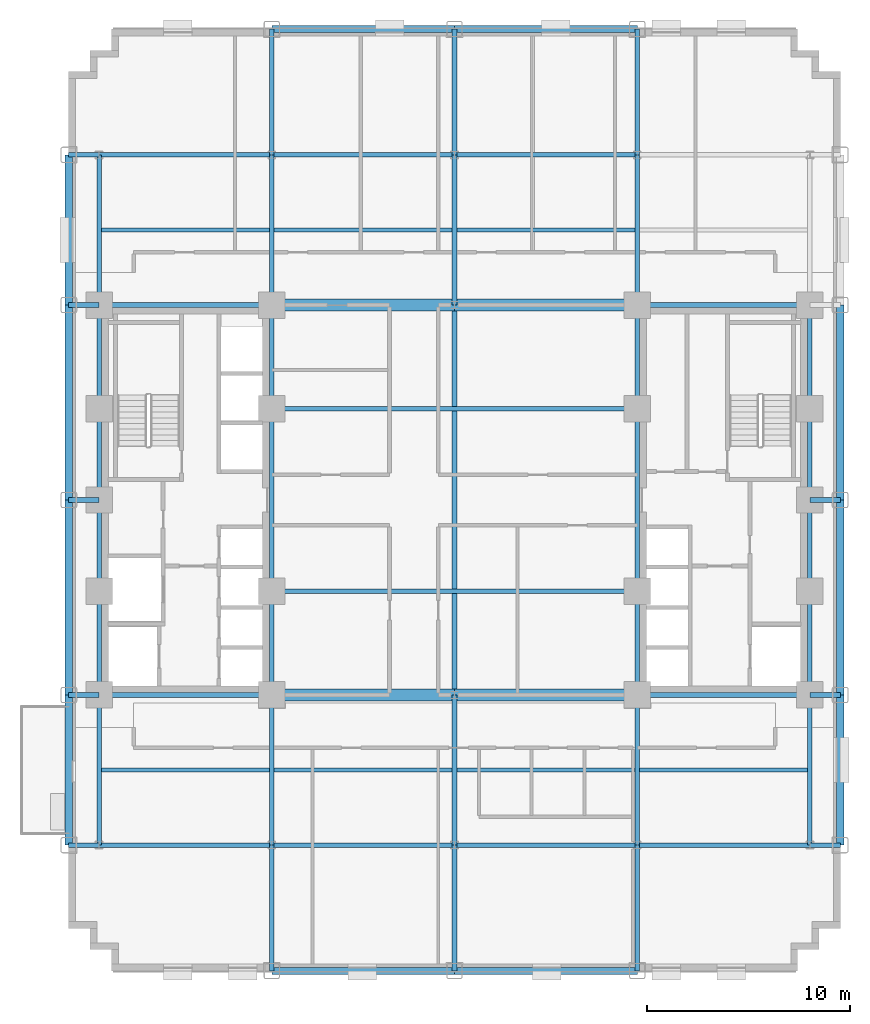
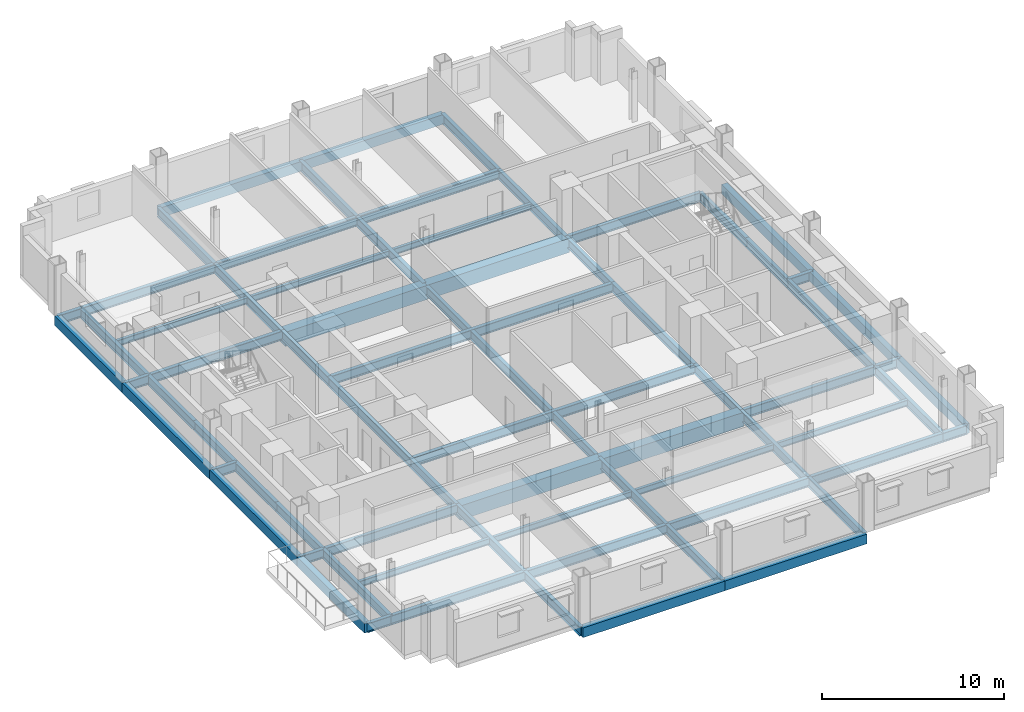
# One storey, part 3 of 12: 73 beams.
"""IFC4 building model written with IfcOpenShell, lengths in metres."""

from ifc_helpers import new_model, si_unit, direction, frame, origin, origin_2d, place, context, subcontext, project, spatial, rectangle, i_section, extrude, material, material_profile, profile_set, type_object, element, save


model = new_model("IFC4")

# Units and contexts
model_context = context("Model", 3, precision=1e-05, world=origin(), true_north=direction((0.0, 1.0)))
body_context = subcontext(model_context, "Body", "Model", "MODEL_VIEW")
ifc_project = project(units=[si_unit("LENGTHUNIT", "METRE"), si_unit("AREAUNIT", "SQUARE_METRE"), si_unit("VOLUMEUNIT", "CUBIC_METRE"), si_unit("PLANEANGLEUNIT", "RADIAN"), si_unit("MASSUNIT", "GRAM", prefix="KILO")], contexts=[model_context])

# Site, building, storey
site_placement = place(None, origin())
site = spatial("IfcSite", under=ifc_project, at=site_placement, CompositionType="ELEMENT")
building_placement = place(site_placement, origin())
building = spatial("IfcBuilding", under=site, at=building_placement, Name="Nuvemarco Arch Tower", CompositionType="ELEMENT")
storey_placement = place(building_placement, frame((0.0, 0.0, 31.25)))
storey = spatial("IfcBuildingStorey", under=building, at=storey_placement, Name="L07", CompositionType="ELEMENT", Elevation=31.25)

# Beams
ifc_material_1 = material(Name="Concrete C60/75", Category="concrete")
ifc_material_profile_1 = material_profile(ifc_material_1, rectangle(XDim=0.60009765625, YDim=0.949951171875, at=origin_2d()), Name="RC-BM-600x950")
ifc_profile_set_1 = profile_set([ifc_material_profile_1], Name="Concrete C60/75")
beam_type_1 = type_object("IfcBeamType", Name="BM-COUP-RC", PredefinedType="LINTEL", material=ifc_profile_set_1)
for number, where, z_axis, x_axis, name in (
    (1, (-9.0, -9.60009765625, -0.7548828125), (1.0, 0.0, 0.0), (0.0, 1.0, 0.0), "L07 structural beam BGEW_L07_0_-9.6_-9.0"),
    (2, (0.0, -9.60009765625, -0.7548828125), (1.0, 0.0, 0.0), (0.0, 1.0, 0.0), "L07 structural beam BGEW_L07_0_-9.6_+0.0"),
    (3, (-9.0, 9.60009765625, -0.7548828125), (1.0, 0.0, 0.0), (0.0, 1.0, 0.0), "L07 structural beam BGEW_L07_0_+9.6_-9.0"),
    (4, (0.0, 9.60009765625, -0.7548828125), (1.0, 0.0, 0.0), (0.0, 1.0, 0.0), "L07 structural beam BGEW_L07_0_+9.6_+0.0"),
):
    element("IfcBeam", number, at=place(storey_placement, frame(where, z_axis=z_axis, x_axis=x_axis)), inside=storey, type_object=beam_type_1, Name=name, PredefinedType="LINTEL", context=body_context, shape_type="SweptSolid", body=[
        extrude(rectangle(XDim=0.60009765625, YDim=0.949951171875, at=origin_2d()), origin(), (0.0, 0.0, 1.0), 9.0),
    ])
ifc_material_2 = material(Name="Steel S355", Category="steel")
ifc_material_profile_2 = material_profile(ifc_material_2, i_section(OverallWidth=0.22998046875, OverallDepth=0.616943359375, WebThickness=0.01318359375, FlangeThickness=0.022216796875, FilletRadius=0.01611328125, at=origin_2d()), Name="W610x140")
ifc_profile_set_2 = profile_set([ifc_material_profile_2], Name="Steel S355")
beam_type_2 = type_object("IfcBeamType", Name="BM-GIRD-610", PredefinedType="BEAM", material=ifc_profile_set_2)
beam_1_placement = place(storey_placement, frame((-17.5, -17.0, -0.58837890625), z_axis=(0.0, 1.0, 0.0), x_axis=(-1.0, 0.0, 0.0)))
element("IfcBeam", 5, at=beam_1_placement, inside=storey, type_object=beam_type_2, Name="L07 structural beam BGNS_L07_0_-17.5_-17.0", PredefinedType="BEAM", context=body_context, shape_type="SweptSolid", body=[
    extrude(i_section(OverallWidth=0.22998046875, OverallDepth=0.616943359375, WebThickness=0.01318359375, FlangeThickness=0.022216796875, FilletRadius=0.01611328125, at=origin_2d()), origin(), (0.0, 0.0, 1.0), 7.39990234375),
])
beam_2_placement = place(storey_placement, frame((-17.5, -9.60009765625, -0.58837890625), z_axis=(0.0, 1.0, 0.0), x_axis=(-1.0, 0.0, 0.0)))
element("IfcBeam", 6, at=beam_2_placement, inside=storey, type_object=beam_type_2, Name="L07 structural beam BGNS_L07_0_-17.5_-9.6", PredefinedType="BEAM", context=body_context, shape_type="SweptSolid", body=[
    extrude(i_section(OverallWidth=0.22998046875, OverallDepth=0.616943359375, WebThickness=0.01318359375, FlangeThickness=0.022216796875, FilletRadius=0.01611328125, at=origin_2d()), origin(), (0.0, 0.0, 1.0), 5.10009765625),
])
for number, where, z_axis, x_axis, name in (
    (7, (-17.5, -4.5, -0.58837890625), (0.0, 1.0, 0.0), (-1.0, 0.0, 0.0), "L07 structural beam BGNS_L07_0_-17.5_-4.5"),
    (8, (-17.5, 0.0, -0.58837890625), (0.0, 1.0, 0.0), (-1.0, 0.0, 0.0), "L07 structural beam BGNS_L07_0_-17.5_+0.0"),
):
    element("IfcBeam", number, at=place(storey_placement, frame(where, z_axis=z_axis, x_axis=x_axis)), inside=storey, type_object=beam_type_2, Name=name, PredefinedType="BEAM", context=body_context, shape_type="SweptSolid", body=[
        extrude(i_section(OverallWidth=0.22998046875, OverallDepth=0.616943359375, WebThickness=0.01318359375, FlangeThickness=0.022216796875, FilletRadius=0.01611328125, at=origin_2d()), origin(), (0.0, 0.0, 1.0), 4.5),
    ])
beam_3_placement = place(storey_placement, frame((-17.5, 4.5, -0.58837890625), z_axis=(0.0, 1.0, 0.0), x_axis=(-1.0, 0.0, 0.0)))
element("IfcBeam", 9, at=beam_3_placement, inside=storey, type_object=beam_type_2, Name="L07 structural beam BGNS_L07_0_-17.5_+4.5", PredefinedType="BEAM", context=body_context, shape_type="SweptSolid", body=[
    extrude(i_section(OverallWidth=0.22998046875, OverallDepth=0.616943359375, WebThickness=0.01318359375, FlangeThickness=0.022216796875, FilletRadius=0.01611328125, at=origin_2d()), origin(), (0.0, 0.0, 1.0), 5.10009765625),
])
beam_4_placement = place(storey_placement, frame((-17.5, 9.60009765625, -0.58837890625), z_axis=(0.0, 1.0, 0.0), x_axis=(-1.0, 0.0, 0.0)))
element("IfcBeam", 10, at=beam_4_placement, inside=storey, type_object=beam_type_2, Name="L07 structural beam BGNS_L07_0_-17.5_+9.6", PredefinedType="BEAM", context=body_context, shape_type="SweptSolid", body=[
    extrude(i_section(OverallWidth=0.22998046875, OverallDepth=0.616943359375, WebThickness=0.01318359375, FlangeThickness=0.022216796875, FilletRadius=0.01611328125, at=origin_2d()), origin(), (0.0, 0.0, 1.0), 7.39990234375),
])
beam_5_placement = place(storey_placement, frame((-9.0, -23.199951171875, -0.58837890625), z_axis=(0.0, 1.0, 0.0), x_axis=(-1.0, 0.0, 0.0)))
element("IfcBeam", 11, at=beam_5_placement, inside=storey, type_object=beam_type_2, Name="L07 structural beam BGNS_L07_0_-9.0_-23.2", PredefinedType="BEAM", context=body_context, shape_type="SweptSolid", body=[
    extrude(i_section(OverallWidth=0.22998046875, OverallDepth=0.616943359375, WebThickness=0.01318359375, FlangeThickness=0.022216796875, FilletRadius=0.01611328125, at=origin_2d()), origin(), (0.0, 0.0, 1.0), 6.199951171875),
])
beam_6_placement = place(storey_placement, frame((-9.0, -17.0, -0.58837890625), z_axis=(0.0, 1.0, 0.0), x_axis=(-1.0, 0.0, 0.0)))
element("IfcBeam", 12, at=beam_6_placement, inside=storey, type_object=beam_type_2, Name="L07 structural beam BGNS_L07_0_-9.0_-17.0", PredefinedType="BEAM", context=body_context, shape_type="SweptSolid", body=[
    extrude(i_section(OverallWidth=0.22998046875, OverallDepth=0.616943359375, WebThickness=0.01318359375, FlangeThickness=0.022216796875, FilletRadius=0.01611328125, at=origin_2d()), origin(), (0.0, 0.0, 1.0), 7.39990234375),
])
beam_7_placement = place(storey_placement, frame((-9.0, -9.60009765625, -0.58837890625), z_axis=(0.0, 1.0, 0.0), x_axis=(-1.0, 0.0, 0.0)))
element("IfcBeam", 13, at=beam_7_placement, inside=storey, type_object=beam_type_2, Name="L07 structural beam BGNS_L07_0_-9.0_-9.6", PredefinedType="BEAM", context=body_context, shape_type="SweptSolid", body=[
    extrude(i_section(OverallWidth=0.22998046875, OverallDepth=0.616943359375, WebThickness=0.01318359375, FlangeThickness=0.022216796875, FilletRadius=0.01611328125, at=origin_2d()), origin(), (0.0, 0.0, 1.0), 5.10009765625),
])
beam_8_placement = place(storey_placement, frame((-9.0, -4.5, -0.58837890625), z_axis=(0.0, 1.0, 0.0), x_axis=(-1.0, 0.0, 0.0)))
element("IfcBeam", 14, at=beam_8_placement, inside=storey, type_object=beam_type_2, Name="L07 structural beam BGNS_L07_0_-9.0_-4.5", PredefinedType="BEAM", context=body_context, shape_type="SweptSolid", body=[
    extrude(i_section(OverallWidth=0.22998046875, OverallDepth=0.616943359375, WebThickness=0.01318359375, FlangeThickness=0.022216796875, FilletRadius=0.01611328125, at=origin_2d()), origin(), (0.0, 0.0, 1.0), 9.0),
])
beam_9_placement = place(storey_placement, frame((-9.0, 4.5, -0.58837890625), z_axis=(0.0, 1.0, 0.0), x_axis=(-1.0, 0.0, 0.0)))
element("IfcBeam", 15, at=beam_9_placement, inside=storey, type_object=beam_type_2, Name="L07 structural beam BGNS_L07_0_-9.0_+4.5", PredefinedType="BEAM", context=body_context, shape_type="SweptSolid", body=[
    extrude(i_section(OverallWidth=0.22998046875, OverallDepth=0.616943359375, WebThickness=0.01318359375, FlangeThickness=0.022216796875, FilletRadius=0.01611328125, at=origin_2d()), origin(), (0.0, 0.0, 1.0), 5.10009765625),
])
beam_10_placement = place(storey_placement, frame((-9.0, 9.60009765625, -0.58837890625), z_axis=(0.0, 1.0, 0.0), x_axis=(-1.0, 0.0, 0.0)))
element("IfcBeam", 16, at=beam_10_placement, inside=storey, type_object=beam_type_2, Name="L07 structural beam BGNS_L07_0_-9.0_+9.6", PredefinedType="BEAM", context=body_context, shape_type="SweptSolid", body=[
    extrude(i_section(OverallWidth=0.22998046875, OverallDepth=0.616943359375, WebThickness=0.01318359375, FlangeThickness=0.022216796875, FilletRadius=0.01611328125, at=origin_2d()), origin(), (0.0, 0.0, 1.0), 7.39990234375),
])
for number, where, z_axis, x_axis, name in (
    (17, (-9.0, 17.0, -0.58837890625), (0.0, 1.0, 0.0), (-1.0, 0.0, 0.0), "L07 structural beam BGNS_L07_0_-9.0_+17.0"),
    (18, (0.0, -23.199951171875, -0.58837890625), (0.0, 1.0, 0.0), (-1.0, 0.0, 0.0), "L07 structural beam BGNS_L07_0_+0.0_-23.2"),
):
    element("IfcBeam", number, at=place(storey_placement, frame(where, z_axis=z_axis, x_axis=x_axis)), inside=storey, type_object=beam_type_2, Name=name, PredefinedType="BEAM", context=body_context, shape_type="SweptSolid", body=[
        extrude(i_section(OverallWidth=0.22998046875, OverallDepth=0.616943359375, WebThickness=0.01318359375, FlangeThickness=0.022216796875, FilletRadius=0.01611328125, at=origin_2d()), origin(), (0.0, 0.0, 1.0), 6.199951171875),
    ])
beam_11_placement = place(storey_placement, frame((0.0, -17.0, -0.58837890625), z_axis=(0.0, 1.0, 0.0), x_axis=(-1.0, 0.0, 0.0)))
element("IfcBeam", 19, at=beam_11_placement, inside=storey, type_object=beam_type_2, Name="L07 structural beam BGNS_L07_0_+0.0_-17.0", PredefinedType="BEAM", context=body_context, shape_type="SweptSolid", body=[
    extrude(i_section(OverallWidth=0.22998046875, OverallDepth=0.616943359375, WebThickness=0.01318359375, FlangeThickness=0.022216796875, FilletRadius=0.01611328125, at=origin_2d()), origin(), (0.0, 0.0, 1.0), 7.39990234375),
])
beam_12_placement = place(storey_placement, frame((0.0, -9.60009765625, -0.58837890625), z_axis=(0.0, 1.0, 0.0), x_axis=(-1.0, 0.0, 0.0)))
element("IfcBeam", 20, at=beam_12_placement, inside=storey, type_object=beam_type_2, Name="L07 structural beam BGNS_L07_0_+0.0_-9.6", PredefinedType="BEAM", context=body_context, shape_type="SweptSolid", body=[
    extrude(i_section(OverallWidth=0.22998046875, OverallDepth=0.616943359375, WebThickness=0.01318359375, FlangeThickness=0.022216796875, FilletRadius=0.01611328125, at=origin_2d()), origin(), (0.0, 0.0, 1.0), 19.2001953125),
])
beam_13_placement = place(storey_placement, frame((0.0, 9.60009765625, -0.58837890625), z_axis=(0.0, 1.0, 0.0), x_axis=(-1.0, 0.0, 0.0)))
element("IfcBeam", 21, at=beam_13_placement, inside=storey, type_object=beam_type_2, Name="L07 structural beam BGNS_L07_0_+0.0_+9.6", PredefinedType="BEAM", context=body_context, shape_type="SweptSolid", body=[
    extrude(i_section(OverallWidth=0.22998046875, OverallDepth=0.616943359375, WebThickness=0.01318359375, FlangeThickness=0.022216796875, FilletRadius=0.01611328125, at=origin_2d()), origin(), (0.0, 0.0, 1.0), 7.39990234375),
])
for number, where, z_axis, x_axis, name in (
    (22, (0.0, 17.0, -0.58837890625), (0.0, 1.0, 0.0), (-1.0, 0.0, 0.0), "L07 structural beam BGNS_L07_0_+0.0_+17.0"),
    (23, (9.0, -23.199951171875, -0.58837890625), (0.0, 1.0, 0.0), (-1.0, 0.0, 0.0), "L07 structural beam BGNS_L07_0_+9.0_-23.2"),
):
    element("IfcBeam", number, at=place(storey_placement, frame(where, z_axis=z_axis, x_axis=x_axis)), inside=storey, type_object=beam_type_2, Name=name, PredefinedType="BEAM", context=body_context, shape_type="SweptSolid", body=[
        extrude(i_section(OverallWidth=0.22998046875, OverallDepth=0.616943359375, WebThickness=0.01318359375, FlangeThickness=0.022216796875, FilletRadius=0.01611328125, at=origin_2d()), origin(), (0.0, 0.0, 1.0), 6.199951171875),
    ])
beam_14_placement = place(storey_placement, frame((9.0, -17.0, -0.58837890625), z_axis=(0.0, 1.0, 0.0), x_axis=(-1.0, 0.0, 0.0)))
element("IfcBeam", 24, at=beam_14_placement, inside=storey, type_object=beam_type_2, Name="L07 structural beam BGNS_L07_0_+9.0_-17.0", PredefinedType="BEAM", context=body_context, shape_type="SweptSolid", body=[
    extrude(i_section(OverallWidth=0.22998046875, OverallDepth=0.616943359375, WebThickness=0.01318359375, FlangeThickness=0.022216796875, FilletRadius=0.01611328125, at=origin_2d()), origin(), (0.0, 0.0, 1.0), 7.39990234375),
])
beam_15_placement = place(storey_placement, frame((9.0, -9.60009765625, -0.58837890625), z_axis=(0.0, 1.0, 0.0), x_axis=(-1.0, 0.0, 0.0)))
element("IfcBeam", 25, at=beam_15_placement, inside=storey, type_object=beam_type_2, Name="L07 structural beam BGNS_L07_0_+9.0_-9.6", PredefinedType="BEAM", context=body_context, shape_type="SweptSolid", body=[
    extrude(i_section(OverallWidth=0.22998046875, OverallDepth=0.616943359375, WebThickness=0.01318359375, FlangeThickness=0.022216796875, FilletRadius=0.01611328125, at=origin_2d()), origin(), (0.0, 0.0, 1.0), 5.10009765625),
])
beam_16_placement = place(storey_placement, frame((9.0, -4.5, -0.58837890625), z_axis=(0.0, 1.0, 0.0), x_axis=(-1.0, 0.0, 0.0)))
element("IfcBeam", 26, at=beam_16_placement, inside=storey, type_object=beam_type_2, Name="L07 structural beam BGNS_L07_0_+9.0_-4.5", PredefinedType="BEAM", context=body_context, shape_type="SweptSolid", body=[
    extrude(i_section(OverallWidth=0.22998046875, OverallDepth=0.616943359375, WebThickness=0.01318359375, FlangeThickness=0.022216796875, FilletRadius=0.01611328125, at=origin_2d()), origin(), (0.0, 0.0, 1.0), 9.0),
])
beam_17_placement = place(storey_placement, frame((9.0, 4.5, -0.58837890625), z_axis=(0.0, 1.0, 0.0), x_axis=(-1.0, 0.0, 0.0)))
element("IfcBeam", 27, at=beam_17_placement, inside=storey, type_object=beam_type_2, Name="L07 structural beam BGNS_L07_0_+9.0_+4.5", PredefinedType="BEAM", context=body_context, shape_type="SweptSolid", body=[
    extrude(i_section(OverallWidth=0.22998046875, OverallDepth=0.616943359375, WebThickness=0.01318359375, FlangeThickness=0.022216796875, FilletRadius=0.01611328125, at=origin_2d()), origin(), (0.0, 0.0, 1.0), 5.10009765625),
])
beam_18_placement = place(storey_placement, frame((9.0, 9.60009765625, -0.58837890625), z_axis=(0.0, 1.0, 0.0), x_axis=(-1.0, 0.0, 0.0)))
element("IfcBeam", 28, at=beam_18_placement, inside=storey, type_object=beam_type_2, Name="L07 structural beam BGNS_L07_0_+9.0_+9.6", PredefinedType="BEAM", context=body_context, shape_type="SweptSolid", body=[
    extrude(i_section(OverallWidth=0.22998046875, OverallDepth=0.616943359375, WebThickness=0.01318359375, FlangeThickness=0.022216796875, FilletRadius=0.01611328125, at=origin_2d()), origin(), (0.0, 0.0, 1.0), 7.39990234375),
])
beam_19_placement = place(storey_placement, frame((9.0, 17.0, -0.58837890625), z_axis=(0.0, 1.0, 0.0), x_axis=(-1.0, 0.0, 0.0)))
element("IfcBeam", 29, at=beam_19_placement, inside=storey, type_object=beam_type_2, Name="L07 structural beam BGNS_L07_0_+9.0_+17.0", PredefinedType="BEAM", context=body_context, shape_type="SweptSolid", body=[
    extrude(i_section(OverallWidth=0.22998046875, OverallDepth=0.616943359375, WebThickness=0.01318359375, FlangeThickness=0.022216796875, FilletRadius=0.01611328125, at=origin_2d()), origin(), (0.0, 0.0, 1.0), 6.199951171875),
])
beam_20_placement = place(storey_placement, frame((17.5, -17.0, -0.58837890625), z_axis=(0.0, 1.0, 0.0), x_axis=(-1.0, 0.0, 0.0)))
element("IfcBeam", 30, at=beam_20_placement, inside=storey, type_object=beam_type_2, Name="L07 structural beam BGNS_L07_0_+17.5_-17.0", PredefinedType="BEAM", context=body_context, shape_type="SweptSolid", body=[
    extrude(i_section(OverallWidth=0.22998046875, OverallDepth=0.616943359375, WebThickness=0.01318359375, FlangeThickness=0.022216796875, FilletRadius=0.01611328125, at=origin_2d()), origin(), (0.0, 0.0, 1.0), 7.39990234375),
])
beam_21_placement = place(storey_placement, frame((17.5, -9.60009765625, -0.58837890625), z_axis=(0.0, 1.0, 0.0), x_axis=(-1.0, 0.0, 0.0)))
element("IfcBeam", 31, at=beam_21_placement, inside=storey, type_object=beam_type_2, Name="L07 structural beam BGNS_L07_0_+17.5_-9.6", PredefinedType="BEAM", context=body_context, shape_type="SweptSolid", body=[
    extrude(i_section(OverallWidth=0.22998046875, OverallDepth=0.616943359375, WebThickness=0.01318359375, FlangeThickness=0.022216796875, FilletRadius=0.01611328125, at=origin_2d()), origin(), (0.0, 0.0, 1.0), 5.10009765625),
])
for number, where, z_axis, x_axis, name in (
    (32, (17.5, -4.5, -0.58837890625), (0.0, 1.0, 0.0), (-1.0, 0.0, 0.0), "L07 structural beam BGNS_L07_0_+17.5_-4.5"),
    (33, (17.5, 0.0, -0.58837890625), (0.0, 1.0, 0.0), (-1.0, 0.0, 0.0), "L07 structural beam BGNS_L07_0_+17.5_+0.0"),
):
    element("IfcBeam", number, at=place(storey_placement, frame(where, z_axis=z_axis, x_axis=x_axis)), inside=storey, type_object=beam_type_2, Name=name, PredefinedType="BEAM", context=body_context, shape_type="SweptSolid", body=[
        extrude(i_section(OverallWidth=0.22998046875, OverallDepth=0.616943359375, WebThickness=0.01318359375, FlangeThickness=0.022216796875, FilletRadius=0.01611328125, at=origin_2d()), origin(), (0.0, 0.0, 1.0), 4.5),
    ])
beam_22_placement = place(storey_placement, frame((17.5, 4.5, -0.58837890625), z_axis=(0.0, 1.0, 0.0), x_axis=(-1.0, 0.0, 0.0)))
element("IfcBeam", 34, at=beam_22_placement, inside=storey, type_object=beam_type_2, Name="L07 structural beam BGNS_L07_0_+17.5_+4.5", PredefinedType="BEAM", context=body_context, shape_type="SweptSolid", body=[
    extrude(i_section(OverallWidth=0.22998046875, OverallDepth=0.616943359375, WebThickness=0.01318359375, FlangeThickness=0.022216796875, FilletRadius=0.01611328125, at=origin_2d()), origin(), (0.0, 0.0, 1.0), 5.10009765625),
])
beam_23_placement = place(storey_placement, frame((-19.0, -17.0, -0.58837890625), z_axis=(1.0, 0.0, 0.0), x_axis=(0.0, 1.0, 0.0)))
element("IfcBeam", 35, at=beam_23_placement, inside=storey, type_object=beam_type_2, Name="L07 structural beam BGEW_L07_0_-17.0_-19.0", PredefinedType="BEAM", context=body_context, shape_type="SweptSolid", body=[
    extrude(i_section(OverallWidth=0.22998046875, OverallDepth=0.616943359375, WebThickness=0.01318359375, FlangeThickness=0.022216796875, FilletRadius=0.01611328125, at=origin_2d()), origin(), (0.0, 0.0, 1.0), 1.5),
])
beam_24_placement = place(storey_placement, frame((-17.5, -17.0, -0.58837890625), z_axis=(1.0, 0.0, 0.0), x_axis=(0.0, 1.0, 0.0)))
element("IfcBeam", 36, at=beam_24_placement, inside=storey, type_object=beam_type_2, Name="L07 structural beam BGEW_L07_0_-17.0_-17.5", PredefinedType="BEAM", context=body_context, shape_type="SweptSolid", body=[
    extrude(i_section(OverallWidth=0.22998046875, OverallDepth=0.616943359375, WebThickness=0.01318359375, FlangeThickness=0.022216796875, FilletRadius=0.01611328125, at=origin_2d()), origin(), (0.0, 0.0, 1.0), 8.5),
])
for number, where, z_axis, x_axis, name in (
    (37, (-9.0, -17.0, -0.58837890625), (1.0, 0.0, 0.0), (0.0, 1.0, 0.0), "L07 structural beam BGEW_L07_0_-17.0_-9.0"),
    (38, (0.0, -17.0, -0.58837890625), (1.0, 0.0, 0.0), (0.0, 1.0, 0.0), "L07 structural beam BGEW_L07_0_-17.0_+0.0"),
):
    element("IfcBeam", number, at=place(storey_placement, frame(where, z_axis=z_axis, x_axis=x_axis)), inside=storey, type_object=beam_type_2, Name=name, PredefinedType="BEAM", context=body_context, shape_type="SweptSolid", body=[
        extrude(i_section(OverallWidth=0.22998046875, OverallDepth=0.616943359375, WebThickness=0.01318359375, FlangeThickness=0.022216796875, FilletRadius=0.01611328125, at=origin_2d()), origin(), (0.0, 0.0, 1.0), 9.0),
    ])
beam_25_placement = place(storey_placement, frame((9.0, -17.0, -0.58837890625), z_axis=(1.0, 0.0, 0.0), x_axis=(0.0, 1.0, 0.0)))
element("IfcBeam", 39, at=beam_25_placement, inside=storey, type_object=beam_type_2, Name="L07 structural beam BGEW_L07_0_-17.0_+9.0", PredefinedType="BEAM", context=body_context, shape_type="SweptSolid", body=[
    extrude(i_section(OverallWidth=0.22998046875, OverallDepth=0.616943359375, WebThickness=0.01318359375, FlangeThickness=0.022216796875, FilletRadius=0.01611328125, at=origin_2d()), origin(), (0.0, 0.0, 1.0), 8.5),
])
for number, where, z_axis, x_axis, name in (
    (40, (17.5, -17.0, -0.58837890625), (1.0, 0.0, 0.0), (0.0, 1.0, 0.0), "L07 structural beam BGEW_L07_0_-17.0_+17.5"),
    (41, (-19.0, -9.60009765625, -0.58837890625), (1.0, 0.0, 0.0), (0.0, 1.0, 0.0), "L07 structural beam BGEW_L07_0_-9.6_-19.0"),
):
    element("IfcBeam", number, at=place(storey_placement, frame(where, z_axis=z_axis, x_axis=x_axis)), inside=storey, type_object=beam_type_2, Name=name, PredefinedType="BEAM", context=body_context, shape_type="SweptSolid", body=[
        extrude(i_section(OverallWidth=0.22998046875, OverallDepth=0.616943359375, WebThickness=0.01318359375, FlangeThickness=0.022216796875, FilletRadius=0.01611328125, at=origin_2d()), origin(), (0.0, 0.0, 1.0), 1.5),
    ])
for number, where, z_axis, x_axis, name in (
    (42, (-17.5, -9.60009765625, -0.58837890625), (1.0, 0.0, 0.0), (0.0, 1.0, 0.0), "L07 structural beam BGEW_L07_0_-9.6_-17.5"),
    (43, (9.0, -9.60009765625, -0.58837890625), (1.0, 0.0, 0.0), (0.0, 1.0, 0.0), "L07 structural beam BGEW_L07_0_-9.6_+9.0"),
):
    element("IfcBeam", number, at=place(storey_placement, frame(where, z_axis=z_axis, x_axis=x_axis)), inside=storey, type_object=beam_type_2, Name=name, PredefinedType="BEAM", context=body_context, shape_type="SweptSolid", body=[
        extrude(i_section(OverallWidth=0.22998046875, OverallDepth=0.616943359375, WebThickness=0.01318359375, FlangeThickness=0.022216796875, FilletRadius=0.01611328125, at=origin_2d()), origin(), (0.0, 0.0, 1.0), 8.5),
    ])
beam_26_placement = place(storey_placement, frame((17.5, -9.60009765625, -0.58837890625), z_axis=(1.0, 0.0, 0.0), x_axis=(0.0, 1.0, 0.0)))
element("IfcBeam", 44, at=beam_26_placement, inside=storey, type_object=beam_type_2, Name="L07 structural beam BGEW_L07_0_-9.6_+17.5", PredefinedType="BEAM", context=body_context, shape_type="SweptSolid", body=[
    extrude(i_section(OverallWidth=0.22998046875, OverallDepth=0.616943359375, WebThickness=0.01318359375, FlangeThickness=0.022216796875, FilletRadius=0.01611328125, at=origin_2d()), origin(), (0.0, 0.0, 1.0), 1.5),
])
beam_27_placement = place(storey_placement, frame((-9.0, -4.5, -0.58837890625), z_axis=(1.0, 0.0, 0.0), x_axis=(0.0, 1.0, 0.0)))
element("IfcBeam", 45, at=beam_27_placement, inside=storey, type_object=beam_type_2, Name="L07 structural beam BGEW_L07_0_-4.5_-9.0", PredefinedType="BEAM", context=body_context, shape_type="SweptSolid", body=[
    extrude(i_section(OverallWidth=0.22998046875, OverallDepth=0.616943359375, WebThickness=0.01318359375, FlangeThickness=0.022216796875, FilletRadius=0.01611328125, at=origin_2d()), origin(), (0.0, 0.0, 1.0), 18.0),
])
for number, where, z_axis, x_axis, name in (
    (46, (-19.0, 0.0, -0.58837890625), (1.0, 0.0, 0.0), (0.0, 1.0, 0.0), "L07 structural beam BGEW_L07_0_+0.0_-19.0"),
    (47, (17.5, 0.0, -0.58837890625), (1.0, 0.0, 0.0), (0.0, 1.0, 0.0), "L07 structural beam BGEW_L07_0_+0.0_+17.5"),
):
    element("IfcBeam", number, at=place(storey_placement, frame(where, z_axis=z_axis, x_axis=x_axis)), inside=storey, type_object=beam_type_2, Name=name, PredefinedType="BEAM", context=body_context, shape_type="SweptSolid", body=[
        extrude(i_section(OverallWidth=0.22998046875, OverallDepth=0.616943359375, WebThickness=0.01318359375, FlangeThickness=0.022216796875, FilletRadius=0.01611328125, at=origin_2d()), origin(), (0.0, 0.0, 1.0), 1.5),
    ])
beam_28_placement = place(storey_placement, frame((-9.0, 4.5, -0.58837890625), z_axis=(1.0, 0.0, 0.0), x_axis=(0.0, 1.0, 0.0)))
element("IfcBeam", 48, at=beam_28_placement, inside=storey, type_object=beam_type_2, Name="L07 structural beam BGEW_L07_0_+4.5_-9.0", PredefinedType="BEAM", context=body_context, shape_type="SweptSolid", body=[
    extrude(i_section(OverallWidth=0.22998046875, OverallDepth=0.616943359375, WebThickness=0.01318359375, FlangeThickness=0.022216796875, FilletRadius=0.01611328125, at=origin_2d()), origin(), (0.0, 0.0, 1.0), 18.0),
])
beam_29_placement = place(storey_placement, frame((-19.0, 9.60009765625, -0.58837890625), z_axis=(1.0, 0.0, 0.0), x_axis=(0.0, 1.0, 0.0)))
element("IfcBeam", 49, at=beam_29_placement, inside=storey, type_object=beam_type_2, Name="L07 structural beam BGEW_L07_0_+9.6_-19.0", PredefinedType="BEAM", context=body_context, shape_type="SweptSolid", body=[
    extrude(i_section(OverallWidth=0.22998046875, OverallDepth=0.616943359375, WebThickness=0.01318359375, FlangeThickness=0.022216796875, FilletRadius=0.01611328125, at=origin_2d()), origin(), (0.0, 0.0, 1.0), 1.5),
])
for number, where, z_axis, x_axis, name in (
    (50, (-17.5, 9.60009765625, -0.58837890625), (1.0, 0.0, 0.0), (0.0, 1.0, 0.0), "L07 structural beam BGEW_L07_0_+9.6_-17.5"),
    (51, (9.0, 9.60009765625, -0.58837890625), (1.0, 0.0, 0.0), (0.0, 1.0, 0.0), "L07 structural beam BGEW_L07_0_+9.6_+9.0"),
):
    element("IfcBeam", number, at=place(storey_placement, frame(where, z_axis=z_axis, x_axis=x_axis)), inside=storey, type_object=beam_type_2, Name=name, PredefinedType="BEAM", context=body_context, shape_type="SweptSolid", body=[
        extrude(i_section(OverallWidth=0.22998046875, OverallDepth=0.616943359375, WebThickness=0.01318359375, FlangeThickness=0.022216796875, FilletRadius=0.01611328125, at=origin_2d()), origin(), (0.0, 0.0, 1.0), 8.5),
    ])
beam_30_placement = place(storey_placement, frame((-19.0, 17.0, -0.58837890625), z_axis=(1.0, 0.0, 0.0), x_axis=(0.0, 1.0, 0.0)))
element("IfcBeam", 52, at=beam_30_placement, inside=storey, type_object=beam_type_2, Name="L07 structural beam BGEW_L07_0_+17.0_-19.0", PredefinedType="BEAM", context=body_context, shape_type="SweptSolid", body=[
    extrude(i_section(OverallWidth=0.22998046875, OverallDepth=0.616943359375, WebThickness=0.01318359375, FlangeThickness=0.022216796875, FilletRadius=0.01611328125, at=origin_2d()), origin(), (0.0, 0.0, 1.0), 1.5),
])
beam_31_placement = place(storey_placement, frame((-17.5, 17.0, -0.58837890625), z_axis=(1.0, 0.0, 0.0), x_axis=(0.0, 1.0, 0.0)))
element("IfcBeam", 53, at=beam_31_placement, inside=storey, type_object=beam_type_2, Name="L07 structural beam BGEW_L07_0_+17.0_-17.5", PredefinedType="BEAM", context=body_context, shape_type="SweptSolid", body=[
    extrude(i_section(OverallWidth=0.22998046875, OverallDepth=0.616943359375, WebThickness=0.01318359375, FlangeThickness=0.022216796875, FilletRadius=0.01611328125, at=origin_2d()), origin(), (0.0, 0.0, 1.0), 8.5),
])
for number, where, z_axis, x_axis, name in (
    (54, (-9.0, 17.0, -0.58837890625), (1.0, 0.0, 0.0), (0.0, 1.0, 0.0), "L07 structural beam BGEW_L07_0_+17.0_-9.0"),
    (55, (0.0, 17.0, -0.58837890625), (1.0, 0.0, 0.0), (0.0, 1.0, 0.0), "L07 structural beam BGEW_L07_0_+17.0_+0.0"),
):
    element("IfcBeam", number, at=place(storey_placement, frame(where, z_axis=z_axis, x_axis=x_axis)), inside=storey, type_object=beam_type_2, Name=name, PredefinedType="BEAM", context=body_context, shape_type="SweptSolid", body=[
        extrude(i_section(OverallWidth=0.22998046875, OverallDepth=0.616943359375, WebThickness=0.01318359375, FlangeThickness=0.022216796875, FilletRadius=0.01611328125, at=origin_2d()), origin(), (0.0, 0.0, 1.0), 9.0),
    ])
ifc_material_profile_3 = material_profile(ifc_material_2, i_section(OverallWidth=0.179931640625, OverallDepth=0.4130859375, WebThickness=0.009765625, FlangeThickness=0.01611328125, FilletRadius=0.014892578125, at=origin_2d()), Name="W410x75")
ifc_profile_set_3 = profile_set([ifc_material_profile_3], Name="Steel S355")
beam_type_3 = type_object("IfcBeamType", Name="BM-JOIST-410", PredefinedType="JOIST", material=ifc_profile_set_3)
beam_32_placement = place(storey_placement, frame((-17.385009765625, -13.300048828125, -0.486572265625), z_axis=(1.0, 0.0, 0.0), x_axis=(0.0, 1.0, 0.0)))
element("IfcBeam", 56, at=beam_32_placement, inside=storey, type_object=beam_type_3, Name="L07 structural beam BJ_L07_0_-13.3_-17.5", PredefinedType="JOIST", context=body_context, shape_type="SweptSolid", body=[
    extrude(i_section(OverallWidth=0.179931640625, OverallDepth=0.4130859375, WebThickness=0.009765625, FlangeThickness=0.01611328125, FilletRadius=0.014892578125, at=origin_2d()), origin(), (0.0, 0.0, 1.0), 8.27001953125),
])
for number, where, z_axis, x_axis, name in (
    (57, (-8.885009765625, -13.300048828125, -0.486572265625), (1.0, 0.0, 0.0), (0.0, 1.0, 0.0), "L07 structural beam BJ_L07_0_-13.3_-9.0"),
    (58, (0.114990234375, -13.300048828125, -0.486572265625), (1.0, 0.0, 0.0), (0.0, 1.0, 0.0), "L07 structural beam BJ_L07_0_-13.3_+0.0"),
):
    element("IfcBeam", number, at=place(storey_placement, frame(where, z_axis=z_axis, x_axis=x_axis)), inside=storey, type_object=beam_type_3, Name=name, PredefinedType="JOIST", context=body_context, shape_type="SweptSolid", body=[
        extrude(i_section(OverallWidth=0.179931640625, OverallDepth=0.4130859375, WebThickness=0.009765625, FlangeThickness=0.01611328125, FilletRadius=0.014892578125, at=origin_2d()), origin(), (0.0, 0.0, 1.0), 8.77001953125),
    ])
for number, where, z_axis, x_axis, name in (
    (59, (9.114990234375, -13.300048828125, -0.486572265625), (1.0, 0.0, 0.0), (0.0, 1.0, 0.0), "L07 structural beam BJ_L07_0_-13.3_+9.0"),
    (60, (-17.385009765625, 13.300048828125, -0.486572265625), (1.0, 0.0, 0.0), (0.0, 1.0, 0.0), "L07 structural beam BJ_L07_0_+13.3_-17.5"),
):
    element("IfcBeam", number, at=place(storey_placement, frame(where, z_axis=z_axis, x_axis=x_axis)), inside=storey, type_object=beam_type_3, Name=name, PredefinedType="JOIST", context=body_context, shape_type="SweptSolid", body=[
        extrude(i_section(OverallWidth=0.179931640625, OverallDepth=0.4130859375, WebThickness=0.009765625, FlangeThickness=0.01611328125, FilletRadius=0.014892578125, at=origin_2d()), origin(), (0.0, 0.0, 1.0), 8.27001953125),
    ])
for number, where, z_axis, x_axis, name in (
    (61, (-8.885009765625, 13.300048828125, -0.486572265625), (1.0, 0.0, 0.0), (0.0, 1.0, 0.0), "L07 structural beam BJ_L07_0_+13.3_-9.0"),
    (62, (0.114990234375, 13.300048828125, -0.486572265625), (1.0, 0.0, 0.0), (0.0, 1.0, 0.0), "L07 structural beam BJ_L07_0_+13.3_+0.0"),
):
    element("IfcBeam", number, at=place(storey_placement, frame(where, z_axis=z_axis, x_axis=x_axis)), inside=storey, type_object=beam_type_3, Name=name, PredefinedType="JOIST", context=body_context, shape_type="SweptSolid", body=[
        extrude(i_section(OverallWidth=0.179931640625, OverallDepth=0.4130859375, WebThickness=0.009765625, FlangeThickness=0.01611328125, FilletRadius=0.014892578125, at=origin_2d()), origin(), (0.0, 0.0, 1.0), 8.77001953125),
    ])
ifc_material_3 = material(Name="Precast concrete C45/55", Category="concrete")
ifc_material_profile_4 = material_profile(ifc_material_3, rectangle(XDim=0.35009765625, YDim=0.64990234375, at=origin_2d()), Name="PC-SP-350x650")
ifc_profile_set_4 = profile_set([ifc_material_profile_4], Name="Precast concrete C45/55")
beam_type_4 = type_object("IfcBeamType", Name="BM-SPAN-RC", PredefinedType="SPANDREL", material=ifc_profile_set_4)
beam_33_placement = place(storey_placement, frame((-19.0, -17.0, -0.60498046875), z_axis=(0.0, 1.0, 0.0), x_axis=(-1.0, 0.0, 0.0)))
element("IfcBeam", 63, at=beam_33_placement, inside=storey, type_object=beam_type_4, Name="L07 structural beam BGNS_L07_0_-19.0_-17.0", PredefinedType="SPANDREL", context=body_context, shape_type="SweptSolid", body=[
    extrude(rectangle(XDim=0.35009765625, YDim=0.64990234375, at=origin_2d()), origin(), (0.0, 0.0, 1.0), 7.39990234375),
])
for number, where, z_axis, x_axis, name in (
    (64, (-19.0, -9.60009765625, -0.60498046875), (0.0, 1.0, 0.0), (-1.0, 0.0, 0.0), "L07 structural beam BGNS_L07_0_-19.0_-9.6"),
    (65, (-19.0, 0.0, -0.60498046875), (0.0, 1.0, 0.0), (-1.0, 0.0, 0.0), "L07 structural beam BGNS_L07_0_-19.0_+0.0"),
):
    element("IfcBeam", number, at=place(storey_placement, frame(where, z_axis=z_axis, x_axis=x_axis)), inside=storey, type_object=beam_type_4, Name=name, PredefinedType="SPANDREL", context=body_context, shape_type="SweptSolid", body=[
        extrude(rectangle(XDim=0.35009765625, YDim=0.64990234375, at=origin_2d()), origin(), (0.0, 0.0, 1.0), 9.60009765625),
    ])
for number, where, z_axis, x_axis, name in (
    (66, (-19.0, 9.60009765625, -0.60498046875), (0.0, 1.0, 0.0), (-1.0, 0.0, 0.0), "L07 structural beam BGNS_L07_0_-19.0_+9.6"),
    (67, (19.0, -17.0, -0.60498046875), (0.0, 1.0, 0.0), (-1.0, 0.0, 0.0), "L07 structural beam BGNS_L07_0_+19.0_-17.0"),
):
    element("IfcBeam", number, at=place(storey_placement, frame(where, z_axis=z_axis, x_axis=x_axis)), inside=storey, type_object=beam_type_4, Name=name, PredefinedType="SPANDREL", context=body_context, shape_type="SweptSolid", body=[
        extrude(rectangle(XDim=0.35009765625, YDim=0.64990234375, at=origin_2d()), origin(), (0.0, 0.0, 1.0), 7.39990234375),
    ])
for number, where, z_axis, x_axis, name in (
    (68, (19.0, -9.60009765625, -0.60498046875), (0.0, 1.0, 0.0), (-1.0, 0.0, 0.0), "L07 structural beam BGNS_L07_0_+19.0_-9.6"),
    (69, (19.0, 0.0, -0.60498046875), (0.0, 1.0, 0.0), (-1.0, 0.0, 0.0), "L07 structural beam BGNS_L07_0_+19.0_+0.0"),
):
    element("IfcBeam", number, at=place(storey_placement, frame(where, z_axis=z_axis, x_axis=x_axis)), inside=storey, type_object=beam_type_4, Name=name, PredefinedType="SPANDREL", context=body_context, shape_type="SweptSolid", body=[
        extrude(rectangle(XDim=0.35009765625, YDim=0.64990234375, at=origin_2d()), origin(), (0.0, 0.0, 1.0), 9.60009765625),
    ])
for number, where, z_axis, x_axis, name in (
    (70, (-9.0, -23.199951171875, -0.60498046875), (1.0, 0.0, 0.0), (0.0, 1.0, 0.0), "L07 structural beam BGEW_L07_0_-23.2_-9.0"),
    (71, (0.0, -23.199951171875, -0.60498046875), (1.0, 0.0, 0.0), (0.0, 1.0, 0.0), "L07 structural beam BGEW_L07_0_-23.2_+0.0"),
    (72, (-9.0, 23.199951171875, -0.60498046875), (1.0, 0.0, 0.0), (0.0, 1.0, 0.0), "L07 structural beam BGEW_L07_0_+23.2_-9.0"),
    (73, (0.0, 23.199951171875, -0.60498046875), (1.0, 0.0, 0.0), (0.0, 1.0, 0.0), "L07 structural beam BGEW_L07_0_+23.2_+0.0"),
):
    element("IfcBeam", number, at=place(storey_placement, frame(where, z_axis=z_axis, x_axis=x_axis)), inside=storey, type_object=beam_type_4, Name=name, PredefinedType="SPANDREL", context=body_context, shape_type="SweptSolid", body=[
        extrude(rectangle(XDim=0.35009765625, YDim=0.64990234375, at=origin_2d()), origin(), (0.0, 0.0, 1.0), 9.0),
    ])

save(model, "model.ifc")
